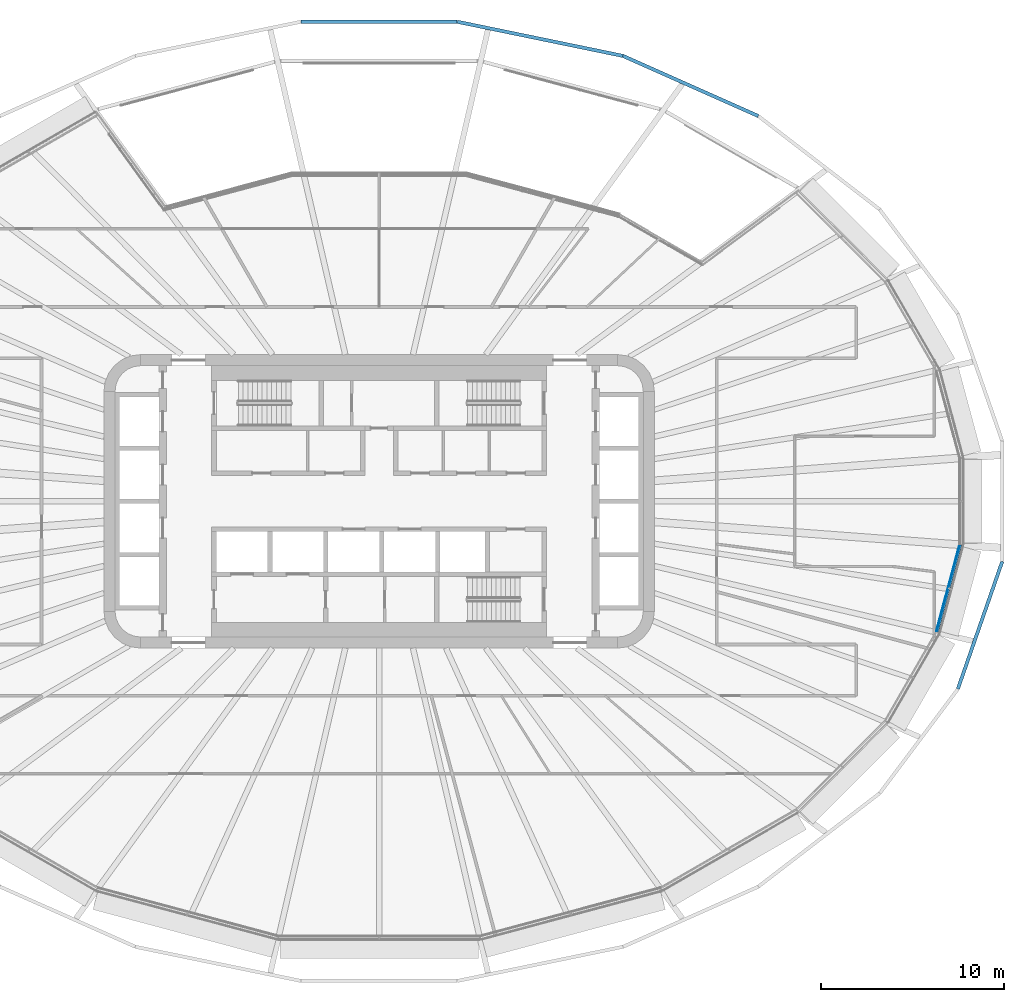
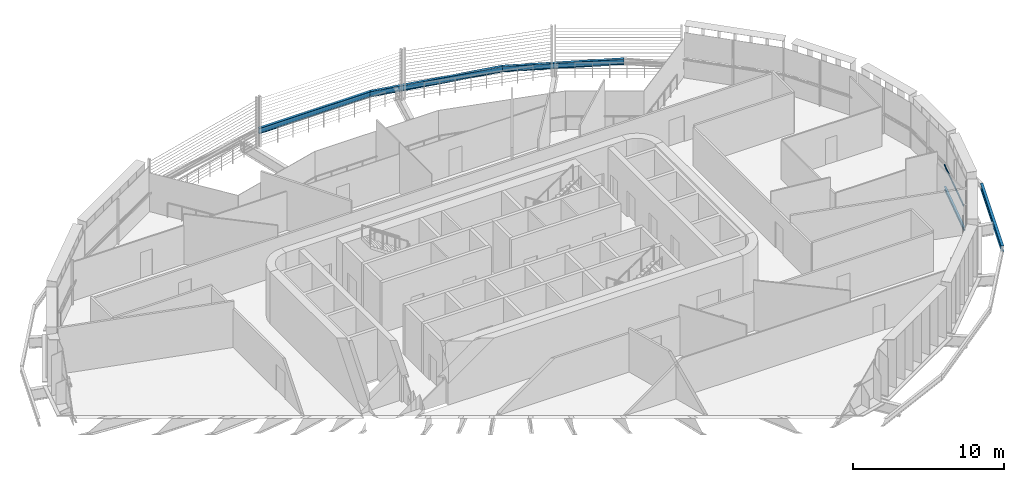
# One storey, part 10 of 24: 5 beams, 1 member, 1 element without a shape of its own.
"""IFC4 building model written with IfcOpenShell, lengths in metres."""

from ifc_helpers import new_model, si_unit, direction, frame, origin, origin_2d, place, context, subcontext, project, spatial, rectangle, i_section, extrude, material, layer, layer_set, material_profile, profile_set, type_object, element, aggregate, save


model = new_model("IFC4")

# Units and contexts
model_context = context("Model", 3, precision=1e-05, world=origin(), true_north=direction((0.0, 1.0)))
body_context = subcontext(model_context, "Body", "Model", "MODEL_VIEW")
ifc_project = project(units=[si_unit("LENGTHUNIT", "METRE"), si_unit("AREAUNIT", "SQUARE_METRE"), si_unit("VOLUMEUNIT", "CUBIC_METRE"), si_unit("PLANEANGLEUNIT", "RADIAN"), si_unit("MASSUNIT", "GRAM", prefix="KILO")], contexts=[model_context])

# Site, building, storey
site_placement = place(None, origin())
site = spatial("IfcSite", under=ifc_project, at=site_placement, CompositionType="ELEMENT")
building_placement = place(site_placement, origin())
building = spatial("IfcBuilding", under=site, at=building_placement, Name="Sahrelin Media Tower", CompositionType="ELEMENT")
storey_placement = place(building_placement, frame((0.0, 0.0, 123.0)))
storey = spatial("IfcBuildingStorey", under=building, at=storey_placement, Name="L24", CompositionType="ELEMENT", Elevation=123.0)

# Beams
ifc_material_1 = material(Name="Steel S355", Category="steel")
ifc_material_profile_1 = material_profile(ifc_material_1, i_section(OverallWidth=0.14599609375, OverallDepth=0.25146484375, WebThickness=0.006103515625, FlangeThickness=0.008544921875, FilletRadius=0.007568359375, at=origin_2d()), Name="UB 254x146x31")
ifc_profile_set_1 = profile_set([ifc_material_profile_1], Name="Steel S355")
beam_type_1 = type_object("IfcBeamType", Name="Edge beam EB1", PredefinedType="BEAM", material=ifc_profile_set_1)
beam_1_placement = place(storey_placement, frame((31.688720703125, -2.37353515625, -0.275634765625), z_axis=(-0.258817308442, -0.965926291624, 0.0), x_axis=(0.965926291624, -0.258817308442, 0.0)))
element("IfcBeam", 1, at=beam_1_placement, inside=storey, type_object=beam_type_1, Name="Edge beam L24-02", PredefinedType="BEAM", context=body_context, shape_type="SweptSolid", body=[
    extrude(i_section(OverallWidth=0.14599609375, OverallDepth=0.25146484375, WebThickness=0.006103515625, FlangeThickness=0.008544921875, FilletRadius=0.007568359375, at=origin_2d()), origin(), (0.0, 0.0, 1.0), 4.907958984375),
])
ifc_material_profile_2 = material_profile(ifc_material_1, i_section(OverallWidth=0.1904296875, OverallDepth=0.45703125, WebThickness=0.009033203125, FlangeThickness=0.014404296875, FilletRadius=0.01025390625, at=origin_2d()), Name="UB 457x191x74")
ifc_profile_set_2 = profile_set([ifc_material_profile_2], Name="Steel S355")
beam_type_2 = type_object("IfcBeamType", Name="Tie chord TC5", PredefinedType="BEAM", material=ifc_profile_set_2)
beam_2_placement = place(storey_placement, frame((20.668701171875, 21.00146484375, -0.37841796875), z_axis=(-0.913830264111, 0.406096353585, 0.0), x_axis=(-0.406096353585, -0.913830264111, 0.0)))
element("IfcBeam", 2, at=beam_2_placement, inside=storey, type_object=beam_type_2, Name="Tie chord L24-04", PredefinedType="BEAM", context=body_context, shape_type="SweptSolid", body=[
    extrude(i_section(OverallWidth=0.1904296875, OverallDepth=0.45703125, WebThickness=0.009033203125, FlangeThickness=0.014404296875, FilletRadius=0.01025390625, at=origin_2d()), origin(), (0.0, 0.0, 1.0), 8.068603515625),
])
beam_3_placement = place(storey_placement, frame((13.29541015625, 24.278076171875, -0.37841796875), z_axis=(-0.979388907091, 0.201983585145, 0.0), x_axis=(-0.201983585145, -0.979388907091, 0.0)))
element("IfcBeam", 3, at=beam_3_placement, inside=storey, type_object=beam_type_2, Name="Tie chord L24-05", PredefinedType="BEAM", context=body_context, shape_type="SweptSolid", body=[
    extrude(i_section(OverallWidth=0.1904296875, OverallDepth=0.45703125, WebThickness=0.009033203125, FlangeThickness=0.014404296875, FilletRadius=0.01025390625, at=origin_2d()), origin(), (0.0, 0.0, 1.0), 9.228515625),
])
beam_4_placement = place(storey_placement, frame((4.257080078125, 26.14208984375, -0.37841796875), z_axis=(-1.0, 0.0, 0.0), x_axis=(0.0, -1.0, 0.0)))
element("IfcBeam", 4, at=beam_4_placement, inside=storey, type_object=beam_type_2, Name="Tie chord L24-06", PredefinedType="BEAM", context=body_context, shape_type="SweptSolid", body=[
    extrude(i_section(OverallWidth=0.1904296875, OverallDepth=0.45703125, WebThickness=0.009033203125, FlangeThickness=0.014404296875, FilletRadius=0.01025390625, at=origin_2d()), origin(), (0.0, 0.0, 1.0), 8.51416015625),
])
beam_5_placement = place(storey_placement, frame((31.542236328125, -10.2333984375, -0.37841796875), z_axis=(0.328777707888, 0.944407337326, 0.0), x_axis=(-0.944407337326, 0.328777707888, 0.0)))
element("IfcBeam", 5, at=beam_5_placement, inside=storey, type_object=beam_type_2, Name="Tie chord L24-23", PredefinedType="BEAM", context=body_context, shape_type="SweptSolid", body=[
    extrude(i_section(OverallWidth=0.1904296875, OverallDepth=0.45703125, WebThickness=0.009033203125, FlangeThickness=0.014404296875, FilletRadius=0.01025390625, at=origin_2d()), origin(), (0.0, 0.0, 1.0), 7.3662109375),
])

# Curtain wall, member
ifc_material_2 = material(Name="Champagne anodised aluminium 6063-T6", Category="aluminium")
ifc_layer = layer(ifc_material_2, 0.14990234375)
ifc_layer_set = layer_set([ifc_layer], Name="Tower ribbon curtain wall")
curtain_wall_type = type_object("IfcCurtainWallType", Name="Tower ribbon curtain wall", PredefinedType="NOTDEFINED", material=ifc_layer_set)
curtain_wall_placement = place(storey_placement, frame((31.198486328125, -4.78271484375, 0.0), z_axis=(0.0, 0.0, 1.0), x_axis=(1.0, 0.0, 0.0)))
curtain_wall = element("IfcCurtainWall", 6, at=curtain_wall_placement, inside=storey, type_object=curtain_wall_type, Name="L24:CW:L24-23", PredefinedType="NOTDEFINED")
ifc_material_profile_3 = material_profile(ifc_material_2, rectangle(XDim=0.050048828125, YDim=0.10009765625, at=origin_2d()), Name="Transom 50x100")
ifc_profile_set_3 = profile_set([ifc_material_profile_3], Name="Champagne anodised aluminium 6063-T6")
member_type = type_object("IfcMemberType", Name="Transom 50x100 CW1", PredefinedType="USERDEFINED", material=ifc_profile_set_3)
member_placement = place(storey_placement, frame((30.37890625, -7.08740234375, 1.60009765625), z_axis=(0.25882783967, 0.965923469749, 0.0), x_axis=(-0.965923469749, 0.25882783967, 0.0)))
member = element("IfcMember", 7, at=member_placement, type_object=member_type, Name="L24:CWT:L24-23", ObjectType="TRANSOM", PredefinedType="USERDEFINED", context=body_context, shape_type="SweptSolid", body=[
    extrude(rectangle(XDim=0.050048828125, YDim=0.10009765625, at=origin_2d()), origin(), (0.0, 0.0, 1.0), 4.876708984375),
])
aggregate(curtain_wall, [member])

save(model, "model.ifc")
